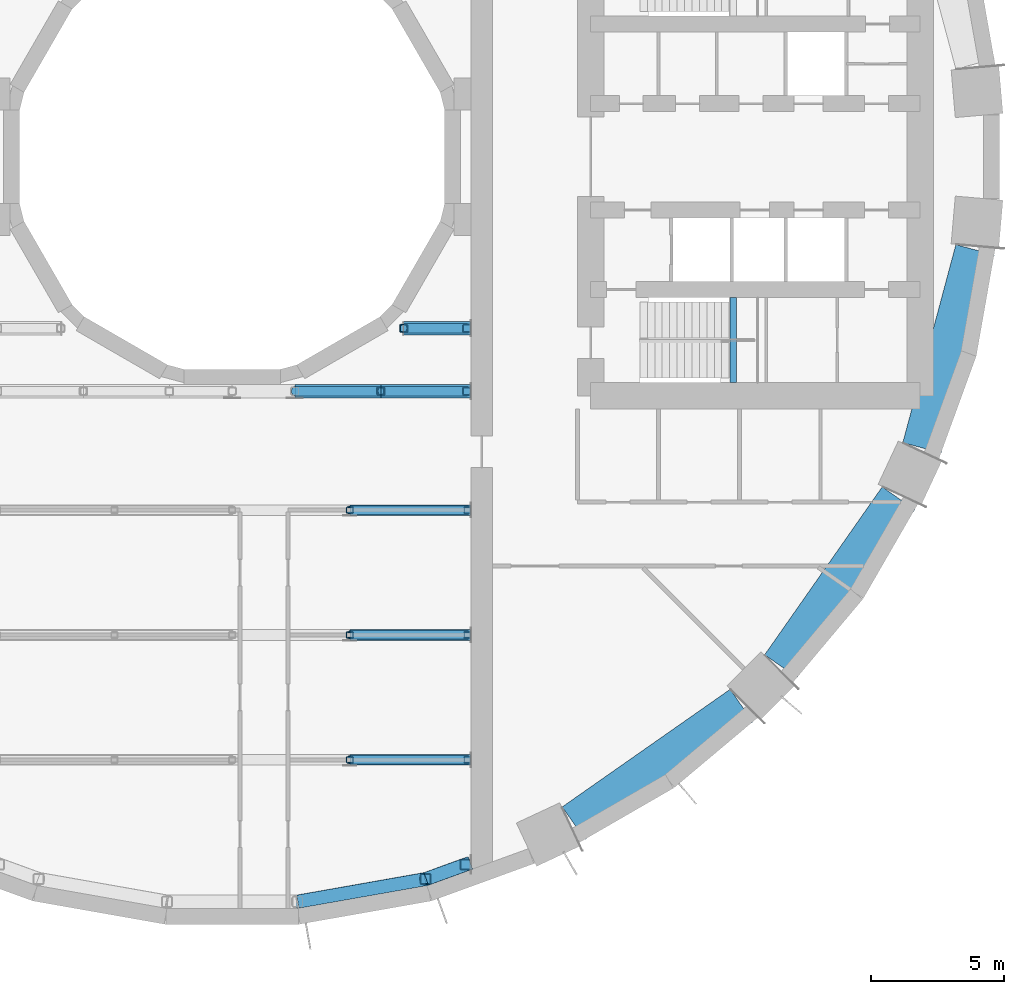
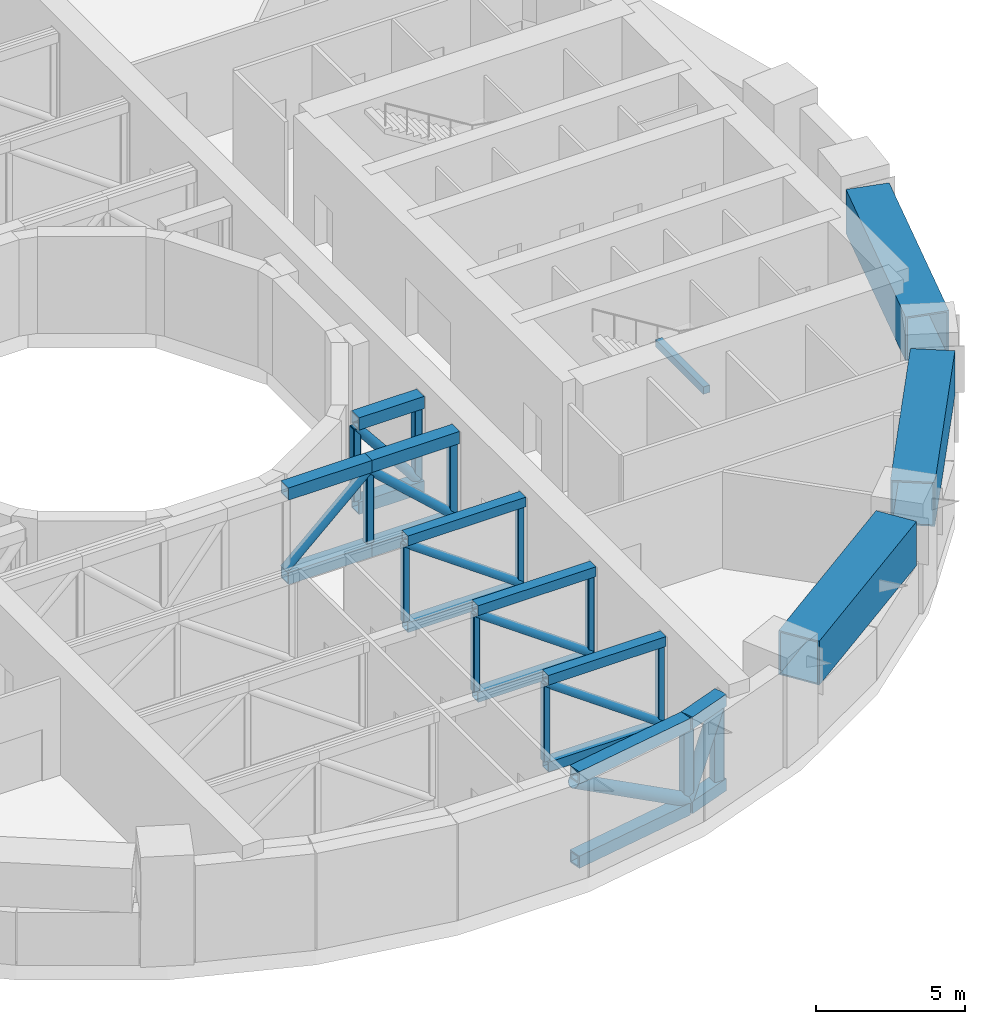
# One storey, part 4 of 21: 36 members, 4 beams.
"""IFC4 building model written with IfcOpenShell, lengths in metres."""

from ifc_helpers import new_model, si_unit, direction, frame, origin, origin_2d, place, context, subcontext, project, spatial, rectangle, hollow_rectangle, hollow_circle, extrude, material, material_profile, profile_set, type_object, element, save


model = new_model("IFC4")

# Units and contexts
model_context = context("Model", 3, precision=1e-05, world=origin(), true_north=direction((0.0, 1.0)))
body_context = subcontext(model_context, "Body", "Model", "MODEL_VIEW")
ifc_project = project(units=[si_unit("LENGTHUNIT", "METRE"), si_unit("AREAUNIT", "SQUARE_METRE"), si_unit("VOLUMEUNIT", "CUBIC_METRE"), si_unit("PLANEANGLEUNIT", "RADIAN"), si_unit("MASSUNIT", "GRAM", prefix="KILO")], contexts=[model_context])

# Site, building, storey
site_placement = place(None, origin())
site = spatial("IfcSite", under=ifc_project, at=site_placement, CompositionType="ELEMENT")
building_placement = place(site_placement, origin())
building = spatial("IfcBuilding", under=site, at=building_placement, Name="Saqina Gate Tower", CompositionType="ELEMENT")
storey_placement = place(building_placement, frame((0.0, 0.0, 21.800048828125)))
storey = spatial("IfcBuildingStorey", under=building, at=storey_placement, Name="L05", CompositionType="ELEMENT", Elevation=21.800048828125)

# Beams
ifc_material_1 = material(Name="Concrete C40/50", Category="concrete")
ifc_material_profile_1 = material_profile(ifc_material_1, rectangle(XDim=0.25, YDim=0.300048828125, at=origin_2d()), Name="STAIR LANDING BEAM")
ifc_profile_set_1 = profile_set([ifc_material_profile_1], Name="Concrete C40/50")
beam_type_1 = type_object("IfcBeamType", Name="STAIR LANDING BEAM", PredefinedType="BEAM", material=ifc_profile_set_1)
beam_placement = place(storey_placement, frame((18.860107421875, -8.5, 1.849853515625), z_axis=(0.0, 1.0, 0.0), x_axis=(-1.0, 0.0, 0.0)))
element("IfcBeam", 1, at=beam_placement, inside=storey, type_object=beam_type_1, Name="EXIT STAIR 2 LANDING BEAM", PredefinedType="BEAM", context=body_context, shape_type="SweptSolid", body=[
    extrude(rectangle(XDim=0.25, YDim=0.300048828125, at=origin_2d()), origin(), (0.0, 0.0, 1.0), 3.199951171875),
])
ifc_material_2 = material(Name="Steel S460", Category="steel")
ifc_material_profile_2 = material_profile(ifc_material_2, hollow_rectangle(XDim=1.5, YDim=1.800048828125, WallThickness=0.06005859375, at=origin_2d()), Name="BOX 1500x1800x60")
ifc_profile_set_2 = profile_set([ifc_material_profile_2], Name="Steel S460")
beam_type_2 = type_object("IfcBeamType", Name="STR-PODIUM TRANSFER GIRDER-BOX 1500x1800x60", PredefinedType="BEAM", material=ifc_profile_set_2)
for number, where, z_axis, x_axis, name in (
    (2, (12.8544921875, -25.086181640625, 3.050048828125), (0.81914571901, 0.573585469679, 0.0), (-0.573585469679, 0.81914571901, 0.0), "PODIUM TRANSFER GIRDER 10"),
    (3, (20.6591796875, -19.1767578125, 3.050048828125), (0.573585469679, 0.81914571901, 0.0), (-0.81914571901, 0.573585469679, 0.0), "PODIUM TRANSFER GIRDER 11"),
    (4, (25.97216796875, -10.954345703125, 3.050048828125), (0.258816195874, 0.965926589733, 0.0), (-0.965926589733, 0.258816195874, 0.0), "PODIUM TRANSFER GIRDER 12"),
):
    element("IfcBeam", number, at=place(storey_placement, frame(where, z_axis=z_axis, x_axis=x_axis)), inside=storey, type_object=beam_type_2, Name=name, PredefinedType="BEAM", context=body_context, shape_type="SweptSolid", body=[
        extrude(hollow_rectangle(XDim=1.5, YDim=1.800048828125, WallThickness=0.06005859375, at=origin_2d()), origin(), (0.0, 0.0, 1.0), 7.718017578125),
    ])

# Members
ifc_material_3 = material(Name="Steel S460", Category="steel")
ifc_material_profile_3 = material_profile(ifc_material_3, hollow_rectangle(XDim=0.39990234375, YDim=0.39990234375, WallThickness=0.030029296875, at=origin_2d()), Name="BOX 400x400x30")
ifc_profile_set_3 = profile_set([ifc_material_profile_3], Name="Steel S460")
member_type_1 = type_object("IfcMemberType", Name="STR-TRANSFER TRUSS CHORD-BOX 400x400x30", PredefinedType="CHORD", material=ifc_profile_set_3)
for number, where, z_axis, x_axis, name in (
    (5, (4.428466796875, -13.300048828125, 0.199951171875), (1.0, 0.0, 0.0), (0.0, 1.0, 0.0), "TRANSFER TRUSS CHORD 107"),
    (6, (4.428466796875, -13.300048828125, 3.75), (1.0, 0.0, 0.0), (0.0, 1.0, 0.0), "TRANSFER TRUSS CHORD 108"),
    (7, (4.428466796875, -18.0, 0.199951171875), (1.0, 0.0, 0.0), (0.0, 1.0, 0.0), "TRANSFER TRUSS CHORD 137"),
    (8, (4.428466796875, -18.0, 3.75), (1.0, 0.0, 0.0), (0.0, 1.0, 0.0), "TRANSFER TRUSS CHORD 138"),
    (9, (4.428466796875, -22.699951171875, 0.199951171875), (1.0, 0.0, 0.0), (0.0, 1.0, 0.0), "TRANSFER TRUSS CHORD 167"),
    (10, (4.428466796875, -22.699951171875, 3.75), (1.0, 0.0, 0.0), (0.0, 1.0, 0.0), "TRANSFER TRUSS CHORD 168"),
):
    element("IfcMember", number, at=place(storey_placement, frame(where, z_axis=z_axis, x_axis=x_axis)), inside=storey, type_object=member_type_1, Name=name, PredefinedType="CHORD", context=body_context, shape_type="SweptSolid", body=[
        extrude(hollow_rectangle(XDim=0.39990234375, YDim=0.39990234375, WallThickness=0.030029296875, at=origin_2d()), origin(), (0.0, 0.0, 1.0), 4.553466796875),
    ])
ifc_material_4 = material(Name="Steel S460", Category="steel")
ifc_material_profile_4 = material_profile(ifc_material_4, hollow_rectangle(XDim=0.5, YDim=0.5, WallThickness=0.0400390625, at=origin_2d()), Name="BOX 500x500x40")
ifc_profile_set_4 = profile_set([ifc_material_profile_4], Name="Steel S460")
member_type_2 = type_object("IfcMemberType", Name="STR-TRANSFER TRUSS CHORD-BOX 500x500x40", PredefinedType="CHORD", material=ifc_profile_set_4)
for number, where, z_axis, x_axis, name in (
    (11, (2.363525390625, -8.821044921875, 0.25), (1.0, 0.0, 0.0), (0.0, 1.0, 0.0), "TRANSFER TRUSS CHORD 072"),
    (12, (2.363525390625, -8.821044921875, 3.699951171875), (1.0, 0.0, 0.0), (0.0, 1.0, 0.0), "TRANSFER TRUSS CHORD 073"),
):
    element("IfcMember", number, at=place(storey_placement, frame(where, z_axis=z_axis, x_axis=x_axis)), inside=storey, type_object=member_type_2, Name=name, PredefinedType="CHORD", context=body_context, shape_type="SweptSolid", body=[
        extrude(hollow_rectangle(XDim=0.5, YDim=0.5, WallThickness=0.0400390625, at=origin_2d()), origin(), (0.0, 0.0, 1.0), 3.234375),
    ])
for number, where, z_axis, x_axis, name in (
    (13, (5.597900390625, -8.821044921875, 0.25), (1.0, 0.0, 0.0), (0.0, 1.0, 0.0), "TRANSFER TRUSS CHORD 075"),
    (14, (5.597900390625, -8.821044921875, 3.699951171875), (1.0, 0.0, 0.0), (0.0, 1.0, 0.0), "TRANSFER TRUSS CHORD 076"),
):
    element("IfcMember", number, at=place(storey_placement, frame(where, z_axis=z_axis, x_axis=x_axis)), inside=storey, type_object=member_type_2, Name=name, PredefinedType="CHORD", context=body_context, shape_type="SweptSolid", body=[
        extrude(hollow_rectangle(XDim=0.5, YDim=0.5, WallThickness=0.0400390625, at=origin_2d()), origin(), (0.0, 0.0, 1.0), 3.384033203125),
    ])
for number, where, z_axis, x_axis, name in (
    (15, (8.98193359375, -6.45751953125, 0.25), (-1.0, 0.0, 0.0), (0.0, -1.0, 0.0), "TRANSFER TRUSS CHORD 190"),
    (16, (8.98193359375, -6.45751953125, 3.699951171875), (-1.0, 0.0, 0.0), (0.0, -1.0, 0.0), "TRANSFER TRUSS CHORD 191"),
):
    element("IfcMember", number, at=place(storey_placement, frame(where, z_axis=z_axis, x_axis=x_axis)), inside=storey, type_object=member_type_2, Name=name, PredefinedType="CHORD", context=body_context, shape_type="SweptSolid", body=[
        extrude(hollow_rectangle(XDim=0.5, YDim=0.5, WallThickness=0.0400390625, at=origin_2d()), origin(), (0.0, 0.0, 1.0), 2.5244140625),
    ])
ifc_material_5 = material(Name="Steel S460", Category="steel")
ifc_material_profile_5 = material_profile(ifc_material_5, hollow_rectangle(XDim=0.5, YDim=0.5, WallThickness=0.06005859375, at=origin_2d()), Name="BOX 500x500x60")
ifc_profile_set_5 = profile_set([ifc_material_profile_5], Name="Steel S460")
member_type_3 = type_object("IfcMemberType", Name="STR-TRANSFER TRUSS CHORD-BOX 500x500x60", PredefinedType="CHORD", material=ifc_profile_set_5)
for number, where, z_axis, x_axis, name in (
    (17, (2.474853515625, -28.0390625, 0.25), (0.984807807789, 0.17364786701, 0.0), (-0.17364786701, 0.984807807789, 0.0), "TRANSFER TRUSS CHORD 027"),
    (18, (2.474853515625, -28.0390625, 3.699951171875), (0.984807807789, 0.17364786701, 0.0), (-0.17364786701, 0.984807807789, 0.0), "TRANSFER TRUSS CHORD 028"),
):
    element("IfcMember", number, at=place(storey_placement, frame(where, z_axis=z_axis, x_axis=x_axis)), inside=storey, type_object=member_type_3, Name=name, PredefinedType="CHORD", context=body_context, shape_type="SweptSolid", body=[
        extrude(hollow_rectangle(XDim=0.5, YDim=0.5, WallThickness=0.06005859375, at=origin_2d()), origin(), (0.0, 0.0, 1.0), 4.86328125),
    ])
for number, where, z_axis, x_axis, name in (
    (19, (7.306396484375, -27.183349609375, 0.25), (0.939696750513, 0.342008796782, 0.0), (-0.342008796782, 0.939696750513, 0.0), "TRANSFER TRUSS CHORD 030"),
    (20, (7.306396484375, -27.183349609375, 3.699951171875), (0.939696750513, 0.342008796782, 0.0), (-0.342008796782, 0.939696750513, 0.0), "TRANSFER TRUSS CHORD 031"),
):
    element("IfcMember", number, at=place(storey_placement, frame(where, z_axis=z_axis, x_axis=x_axis)), inside=storey, type_object=member_type_3, Name=name, PredefinedType="CHORD", context=body_context, shape_type="SweptSolid", body=[
        extrude(hollow_rectangle(XDim=0.5, YDim=0.5, WallThickness=0.06005859375, at=origin_2d()), origin(), (0.0, 0.0, 1.0), 1.770263671875),
    ])
ifc_material_6 = material(Name="Steel S460", Category="steel")
ifc_material_profile_6 = material_profile(ifc_material_6, hollow_circle(Radius=0.161865234375, WallThickness=0.012451171875, at=origin_2d()), Name="CHS 323.9x12.5")
ifc_profile_set_6 = profile_set([ifc_material_profile_6], Name="Steel S460")
member_type_4 = type_object("IfcMemberType", Name="STR-TRANSFER TRUSS DIAGONAL-CHS 323.9x12.5", PredefinedType="BRACE", material=ifc_profile_set_6)
for number, where, z_axis, x_axis, name in (
    (21, (4.418701171875, -13.300048828125, 3.556884765625), (0.814886313503, 0.0, -0.579620820939), (0.0, 1.0, 0.0), "TRANSFER TRUSS DIAGONAL 109"),
    (22, (4.418701171875, -18.0, 3.556884765625), (0.814886313503, 0.0, -0.579620820939), (0.0, 1.0, 0.0), "TRANSFER TRUSS DIAGONAL 139"),
    (23, (4.418701171875, -22.699951171875, 3.556884765625), (0.814886313503, 0.0, -0.579620820939), (0.0, 1.0, 0.0), "TRANSFER TRUSS DIAGONAL 169"),
):
    element("IfcMember", number, at=place(storey_placement, frame(where, z_axis=z_axis, x_axis=x_axis)), inside=storey, type_object=member_type_4, Name=name, PredefinedType="BRACE", context=body_context, shape_type="SweptSolid", body=[
        extrude(hollow_circle(Radius=0.161865234375, WallThickness=0.012451171875, at=origin_2d()), origin(), (0.0, 0.0, 1.0), 5.45849609375),
    ])
ifc_material_7 = material(Name="Steel S460", Category="steel")
ifc_material_profile_7 = material_profile(ifc_material_7, hollow_circle(Radius=0.177734375, WallThickness=0.01611328125, at=origin_2d()), Name="CHS 355.6x16")
ifc_profile_set_7 = profile_set([ifc_material_profile_7], Name="Steel S460")
member_type_5 = type_object("IfcMemberType", Name="STR-TRANSFER TRUSS DIAGONAL-CHS 355.6x16", PredefinedType="BRACE", material=ifc_profile_set_7)
for number, where, z_axis, x_axis, name in (
    (24, (2.354736328125, -8.821044921875, 0.491943359375), (0.738837245149, 0.0, 0.673883910759), (0.0, 1.0, 0.0), "TRANSFER TRUSS DIAGONAL 074"),
    (25, (5.5888671875, -8.821044921875, 3.4580078125), (0.738837245149, 0.0, -0.673883910759), (0.0, 1.0, 0.0), "TRANSFER TRUSS DIAGONAL 077"),
):
    element("IfcMember", number, at=place(storey_placement, frame(where, z_axis=z_axis, x_axis=x_axis)), inside=storey, type_object=member_type_5, Name=name, PredefinedType="BRACE", context=body_context, shape_type="SweptSolid", body=[
        extrude(hollow_circle(Radius=0.177734375, WallThickness=0.01611328125, at=origin_2d()), origin(), (0.0, 0.0, 1.0), 4.4013671875),
    ])
member_1_placement = place(storey_placement, frame((8.839599609375, -6.45751953125, 0.49072265625), z_axis=(-0.627067246919, 0.0, 0.778965126204), x_axis=(0.0, -1.0, 0.0)))
element("IfcMember", 26, at=member_1_placement, inside=storey, type_object=member_type_5, Name="TRANSFER TRUSS DIAGONAL 192", PredefinedType="BRACE", context=body_context, shape_type="SweptSolid", body=[
    extrude(hollow_circle(Radius=0.177734375, WallThickness=0.01611328125, at=origin_2d()), origin(), (0.0, 0.0, 1.0), 3.810791015625),
])
ifc_material_8 = material(Name="Steel S460", Category="steel")
ifc_material_profile_8 = material_profile(ifc_material_8, hollow_circle(Radius=0.25390625, WallThickness=0.02001953125, at=origin_2d()), Name="CHS 508x20")
ifc_profile_set_8 = profile_set([ifc_material_profile_8], Name="Steel S460")
member_type_6 = type_object("IfcMemberType", Name="STR-TRANSFER TRUSS DIAGONAL-CHS 508x20", PredefinedType="BRACE", material=ifc_profile_set_8)
member_2_placement = place(storey_placement, frame((2.443359375, -28.044677734375, 3.4560546875), z_axis=(0.844012922189, 0.148836048112, -0.515257234748), x_axis=(-0.173663791707, 0.984804999708, 0.0)))
element("IfcMember", 27, at=member_2_placement, inside=storey, type_object=member_type_6, Name="TRANSFER TRUSS DIAGONAL 029", PredefinedType="BRACE", context=body_context, shape_type="SweptSolid", body=[
    extrude(hollow_circle(Radius=0.25390625, WallThickness=0.02001953125, at=origin_2d()), origin(), (0.0, 0.0, 1.0), 5.749267578125),
])
member_3_placement = place(storey_placement, frame((7.280517578125, -27.19287109375, 0.489501953125), z_axis=(0.446324920823, 0.162490618453, 0.879994809057), x_axis=(-0.342097539389, 0.939664447313, 0.0)))
element("IfcMember", 28, at=member_3_placement, inside=storey, type_object=member_type_6, Name="TRANSFER TRUSS DIAGONAL 032", PredefinedType="BRACE", context=body_context, shape_type="SweptSolid", body=[
    extrude(hollow_circle(Radius=0.25390625, WallThickness=0.02001953125, at=origin_2d()), origin(), (0.0, 0.0, 1.0), 3.3759765625),
])
ifc_material_9 = material(Name="Steel S460", Category="steel")
ifc_material_profile_9 = material_profile(ifc_material_9, hollow_rectangle(XDim=0.25, YDim=0.25, WallThickness=0.012451171875, InnerFilletRadius=0.02490234375, OuterFilletRadius=0.03759765625, at=origin_2d()), Name="SHS 250x250x12.5")
ifc_profile_set_9 = profile_set([ifc_material_profile_9], Name="Steel S460")
member_type_7 = type_object("IfcMemberType", Name="STR-TRANSFER TRUSS POST-SHS 250x250x12.5", PredefinedType="POST", material=ifc_profile_set_9)
for number, where, z_axis, x_axis, name in (
    (29, (4.428466796875, -13.300048828125, 0.39990234375), (0.0, 0.0, 1.0), (1.0, 0.0, 0.0), "TRANSFER TRUSS POST 113"),
    (30, (8.85693359375, -13.300048828125, 0.39990234375), (0.0, 0.0, 1.0), (1.0, 0.0, 0.0), "TRANSFER TRUSS POST 114"),
    (31, (4.428466796875, -18.0, 0.39990234375), (0.0, 0.0, 1.0), (1.0, 0.0, 0.0), "TRANSFER TRUSS POST 143"),
    (32, (8.85693359375, -18.0, 0.39990234375), (0.0, 0.0, 1.0), (1.0, 0.0, 0.0), "TRANSFER TRUSS POST 144"),
    (33, (4.428466796875, -22.699951171875, 0.39990234375), (0.0, 0.0, 1.0), (1.0, 0.0, 0.0), "TRANSFER TRUSS POST 173"),
    (34, (8.85693359375, -22.699951171875, 0.39990234375), (0.0, 0.0, 1.0), (1.0, 0.0, 0.0), "TRANSFER TRUSS POST 174"),
):
    element("IfcMember", number, at=place(storey_placement, frame(where, z_axis=z_axis, x_axis=x_axis)), inside=storey, type_object=member_type_7, Name=name, PredefinedType="POST", context=body_context, shape_type="SweptSolid", body=[
        extrude(hollow_rectangle(XDim=0.25, YDim=0.25, WallThickness=0.012451171875, InnerFilletRadius=0.02490234375, OuterFilletRadius=0.03759765625, at=origin_2d()), origin(), (0.0, 0.0, 1.0), 3.150146484375),
    ])
ifc_material_10 = material(Name="Steel S460", Category="steel")
ifc_material_profile_10 = material_profile(ifc_material_10, hollow_rectangle(XDim=0.300048828125, YDim=0.300048828125, WallThickness=0.01611328125, InnerFilletRadius=0.031982421875, OuterFilletRadius=0.048095703125, at=origin_2d()), Name="SHS 300x300x16")
ifc_profile_set_10 = profile_set([ifc_material_profile_10], Name="Steel S460")
member_type_8 = type_object("IfcMemberType", Name="STR-TRANSFER TRUSS POST-SHS 300x300x16", PredefinedType="POST", material=ifc_profile_set_10)
for number, where, z_axis, x_axis, name in (
    (35, (5.597900390625, -8.821044921875, 0.5), (0.0, 0.0, 1.0), (1.0, 0.0, 0.0), "TRANSFER TRUSS POST 083"),
    (36, (8.83203125, -8.821044921875, 0.5), (0.0, 0.0, 1.0), (1.0, 0.0, 0.0), "TRANSFER TRUSS POST 084"),
    (37, (8.83203125, -6.45751953125, 0.5), (0.0, 0.0, 1.0), (1.0, 0.0, 0.0), "TRANSFER TRUSS POST 193"),
    (38, (6.45751953125, -6.45751953125, 0.5), (0.0, 0.0, 1.0), (1.0, 0.0, 0.0), "TRANSFER TRUSS POST 194"),
):
    element("IfcMember", number, at=place(storey_placement, frame(where, z_axis=z_axis, x_axis=x_axis)), inside=storey, type_object=member_type_8, Name=name, PredefinedType="POST", context=body_context, shape_type="SweptSolid", body=[
        extrude(hollow_rectangle(XDim=0.300048828125, YDim=0.300048828125, WallThickness=0.01611328125, InnerFilletRadius=0.031982421875, OuterFilletRadius=0.048095703125, at=origin_2d()), origin(), (0.0, 0.0, 1.0), 2.949951171875),
    ])
ifc_material_11 = material(Name="Steel S460", Category="steel")
ifc_material_profile_11 = material_profile(ifc_material_11, hollow_rectangle(XDim=0.39990234375, YDim=0.39990234375, WallThickness=0.02001953125, InnerFilletRadius=0.0400390625, OuterFilletRadius=0.06005859375, at=origin_2d()), Name="SHS 400x400x20")
ifc_profile_set_11 = profile_set([ifc_material_profile_11], Name="Steel S460")
member_type_9 = type_object("IfcMemberType", Name="STR-TRANSFER TRUSS POST-SHS 400x400x20", PredefinedType="POST", material=ifc_profile_set_11)
for number, where, z_axis, x_axis, name in (
    (39, (7.28564453125, -27.19091796875, 0.5), (0.0, 0.0, 1.0), (1.0, 0.0, 0.0), "TRANSFER TRUSS POST 037"),
    (40, (8.781982421875, -26.646240234375, 0.5), (0.0, 0.0, 1.0), (1.0, 0.0, 0.0), "TRANSFER TRUSS POST 038"),
):
    element("IfcMember", number, at=place(storey_placement, frame(where, z_axis=z_axis, x_axis=x_axis)), inside=storey, type_object=member_type_9, Name=name, PredefinedType="POST", context=body_context, shape_type="SweptSolid", body=[
        extrude(hollow_rectangle(XDim=0.39990234375, YDim=0.39990234375, WallThickness=0.02001953125, InnerFilletRadius=0.0400390625, OuterFilletRadius=0.06005859375, at=origin_2d()), origin(), (0.0, 0.0, 1.0), 2.949951171875),
    ])

save(model, "model.ifc")
